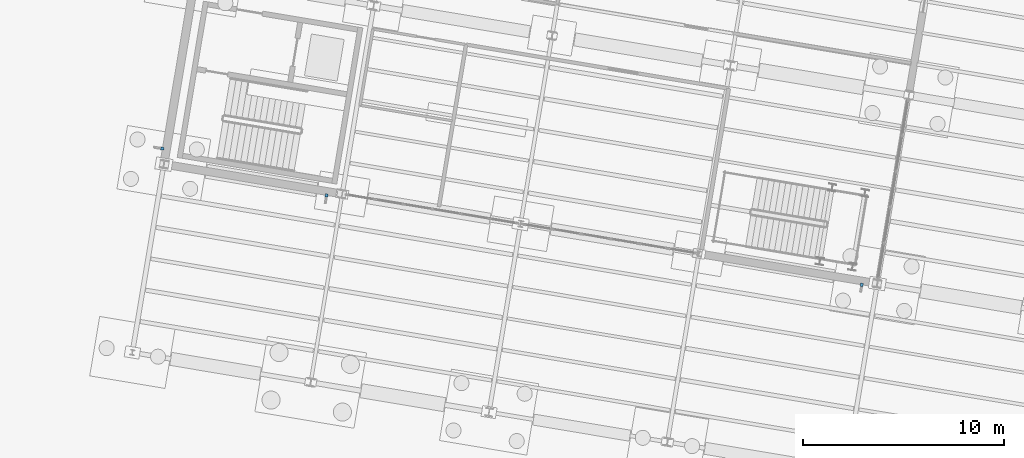
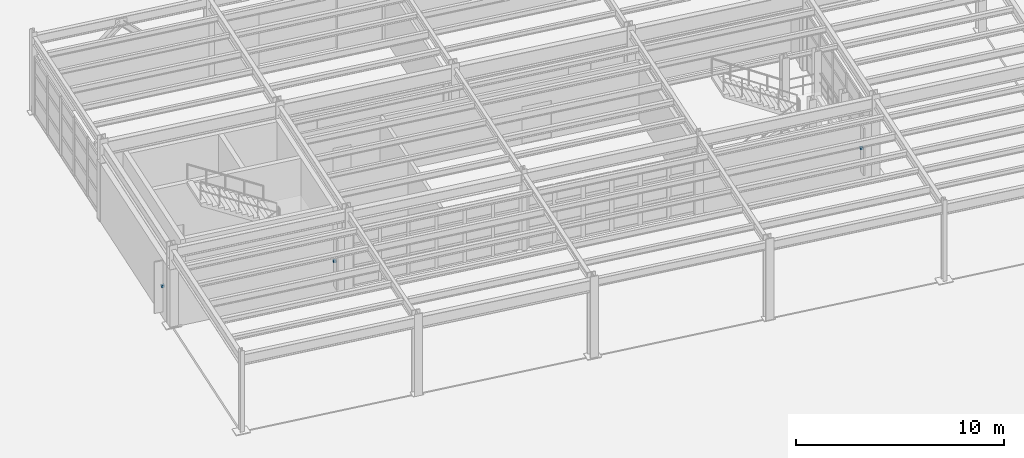
# One storey, part 94 of 108: 3 discrete accessories.
"""IFC4 building model written with IfcOpenShell, lengths in metres."""

from ifc_helpers import new_model, si_unit, direction, frame, origin, origin_2d, place, context, subcontext, project, spatial, rectangle, extrude, material, type_object, element, save


model = new_model("IFC4")

# Units and contexts
model_context = context("Model", 3, precision=1e-05, world=origin(), true_north=direction((0.0, 1.0)))
body_context = subcontext(model_context, "Body", "Model", "MODEL_VIEW")
ifc_project = project(units=[si_unit("LENGTHUNIT", "METRE"), si_unit("AREAUNIT", "SQUARE_METRE"), si_unit("VOLUMEUNIT", "CUBIC_METRE"), si_unit("PLANEANGLEUNIT", "RADIAN"), si_unit("MASSUNIT", "GRAM", prefix="KILO")], contexts=[model_context])

# Site, building, storey
site_placement = place(None, origin())
site = spatial("IfcSite", under=ifc_project, at=site_placement, CompositionType="ELEMENT")
building_placement = place(site_placement, origin())
building = spatial("IfcBuilding", under=site, at=building_placement, Name="Vireo Bluff Cable Station", CompositionType="ELEMENT")
storey_placement = place(building_placement, origin())
storey = spatial("IfcBuildingStorey", under=building, at=storey_placement, Name="L00", CompositionType="ELEMENT", Elevation=0.0)

# Discrete accessories
ifc_material = material(Name="Stainless Steel 316", Category="steel")
discrete_accessory_type = type_object("IfcDiscreteAccessoryType", Name="FACADE-BRACKET-01", PredefinedType="BRACKET", material=ifc_material)
for number, where, z_axis, x_axis, name in (
    (1, (41.80078125, 74.86474609375, 1.7900390625), (0.0, 0.0, 1.0), (-0.986285608693, 0.165047563101, 0.0), "V4 L00 solar fin bracket 25"),
    (2, (15.167724609375, 79.316650390625, 1.7900390625), (0.0, 0.0, 1.0), (-0.986285611922, 0.165047543804, 0.0), "V4 L00 solar fin bracket 26"),
    (3, (6.99462890625, 81.643798828125, 1.7900390625), (0.0, 0.0, 1.0), (0.165047600421, 0.986285602448, 0.0), "V4 L00 solar fin bracket 27"),
):
    element("IfcDiscreteAccessory", number, at=place(storey_placement, frame(where, z_axis=z_axis, x_axis=x_axis)), inside=storey, type_object=discrete_accessory_type, Name=name, PredefinedType="BRACKET", context=body_context, shape_type="SweptSolid", body=[
        extrude(rectangle(XDim=0.139892578125, YDim=0.159912109375, at=origin_2d()), origin(), (0.0, 0.0, 1.0), 0.1201171875),
    ])

save(model, "model.ifc")
